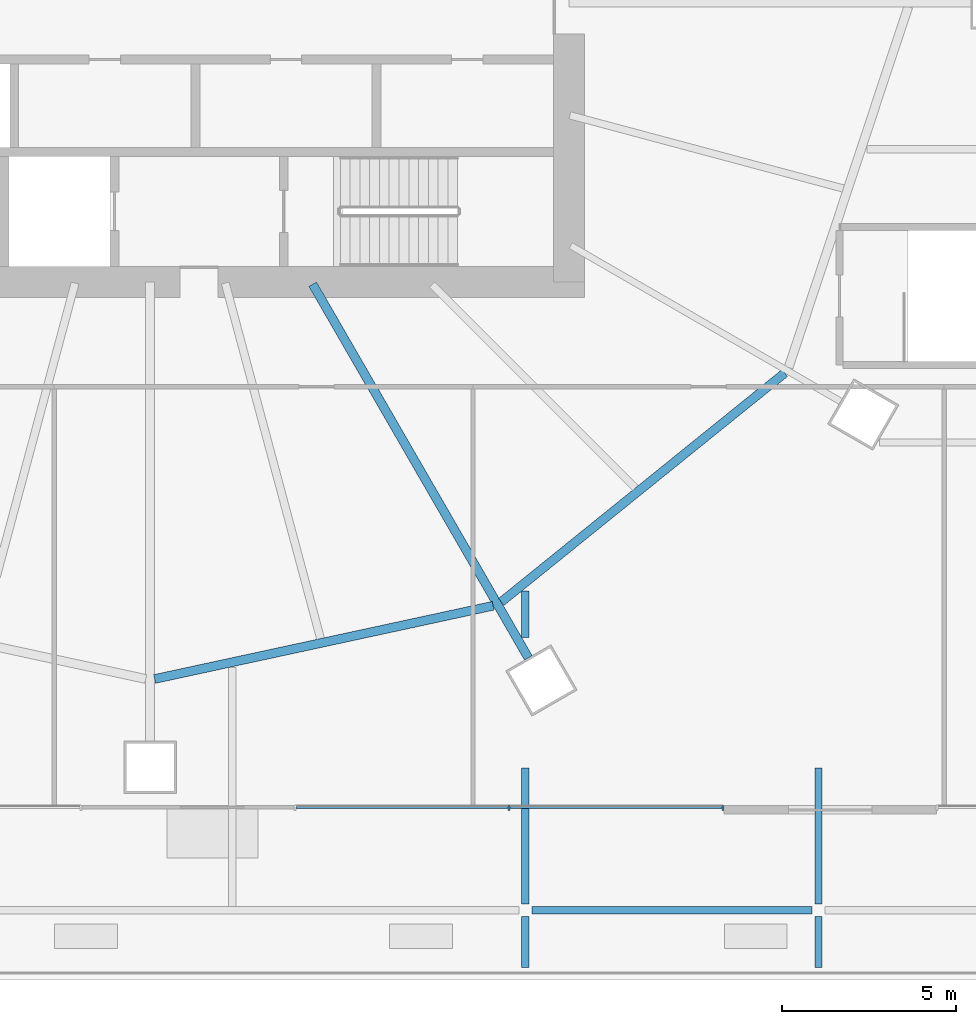
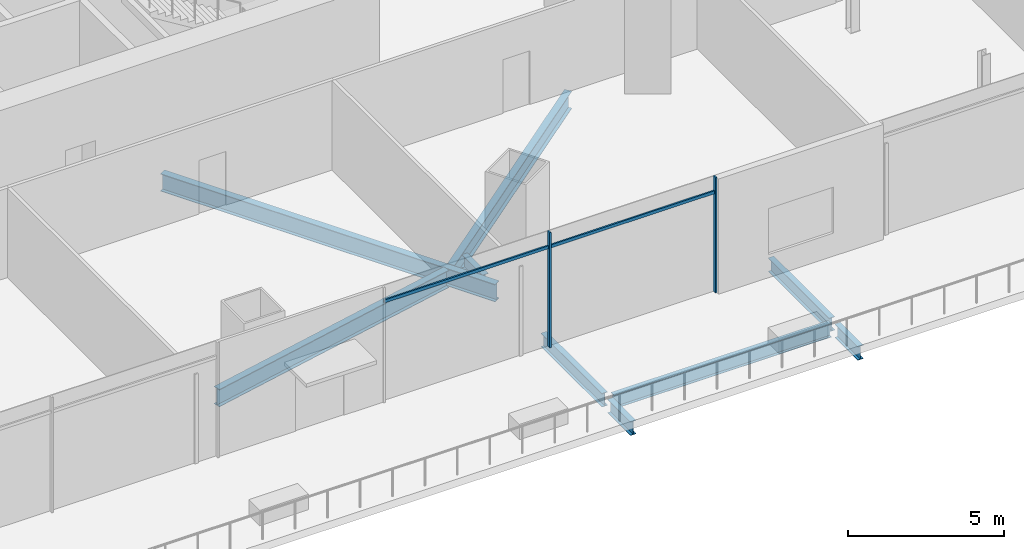
# One storey, part 12 of 49: 9 beams, 4 members, 1 element without a shape of its own.
"""IFC4 building model written with IfcOpenShell, lengths in metres."""

from ifc_helpers import new_model, si_unit, direction, frame, origin, origin_2d, place, context, subcontext, project, spatial, rectangle, i_section, extrude, material, material_profile, profile_set, type_object, element, aggregate, save


model = new_model("IFC4")

# Units and contexts
model_context = context("Model", 3, precision=1e-05, world=origin(), true_north=direction((0.0, 1.0)))
body_context = subcontext(model_context, "Body", "Model", "MODEL_VIEW")
ifc_project = project(units=[si_unit("LENGTHUNIT", "METRE"), si_unit("AREAUNIT", "SQUARE_METRE"), si_unit("VOLUMEUNIT", "CUBIC_METRE"), si_unit("PLANEANGLEUNIT", "RADIAN"), si_unit("MASSUNIT", "GRAM", prefix="KILO")], contexts=[model_context])

# Site, building, storey
site_placement = place(None, origin())
site = spatial("IfcSite", under=ifc_project, at=site_placement, CompositionType="ELEMENT")
building_placement = place(site_placement, origin())
building = spatial("IfcBuilding", under=site, at=building_placement, Name="Rimbun Link Towers", CompositionType="ELEMENT")
storey_placement = place(building_placement, frame((0.0, 0.0, 25.5)))
storey = spatial("IfcBuildingStorey", under=building, at=storey_placement, Name="L05", CompositionType="ELEMENT", Elevation=25.5)

# Curtain wall, members
ifc_material_1 = material(Name="Aluminium 6063-T6 and low-iron glass", Category="aluminium")
curtain_wall_type = type_object("IfcCurtainWallType", Name="CW3 podium shopfront", PredefinedType="NOTDEFINED", material=ifc_material_1)
curtain_wall_placement = place(storey_placement, origin())
curtain_wall = element("IfcCurtainWall", 1, at=curtain_wall_placement, inside=storey, type_object=curtain_wall_type, Name="CW3 L05 PD", PredefinedType="NOTDEFINED")
ifc_material_2 = material(Name="Aluminium 6063-T6", Category="aluminium")
ifc_material_profile_1 = material_profile(ifc_material_2, rectangle(XDim=0.14990234375, YDim=0.06005859375, at=origin_2d()), Name="MULLION 60X150")
ifc_profile_set_1 = profile_set([ifc_material_profile_1], Name="Aluminium 6063-T6")
member_type_1 = type_object("IfcMemberType", Name="CW3 mullion 60X150", PredefinedType="MULLION", material=ifc_profile_set_1)
member_1_placement = place(storey_placement, frame((-21.466552734375, -23.074951171875, 0.0), z_axis=(0.0, 0.0, 1.0), x_axis=(0.0, -1.0, 0.0)))
member_1 = element("IfcMember", 2, at=member_1_placement, type_object=member_type_1, Name="CW3 mullion", PredefinedType="MULLION", context=body_context, shape_type="SweptSolid", body=[
    extrude(rectangle(XDim=0.14990234375, YDim=0.06005859375, at=origin_2d()), origin(), (0.0, 0.0, 1.0), 4.5),
])
member_2_placement = place(storey_placement, frame((-15.333251953125, -23.074951171875, 0.0), z_axis=(0.0, 0.0, 1.0), x_axis=(0.0, -1.0, 0.0)))
member_2 = element("IfcMember", 3, at=member_2_placement, type_object=member_type_1, Name="CW3 mullion", PredefinedType="MULLION", context=body_context, shape_type="SweptSolid", body=[
    extrude(rectangle(XDim=0.14990234375, YDim=0.06005859375, at=origin_2d()), origin(), (0.0, 0.0, 1.0), 4.5),
])
ifc_material_3 = material(Name="Aluminium 6063-T6", Category="aluminium")
ifc_material_profile_2 = material_profile(ifc_material_3, rectangle(XDim=0.06005859375, YDim=0.1201171875, at=origin_2d()), Name="TRANSOM 60X120")
ifc_profile_set_2 = profile_set([ifc_material_profile_2], Name="Aluminium 6063-T6")
member_type_2 = type_object("IfcMemberType", Name="CW3 transom 60X120", PredefinedType="USERDEFINED", material=ifc_profile_set_2)
member_3_placement = place(storey_placement, frame((-21.49658203125, -23.053955078125, 3.89990234375), z_axis=(-1.0, 0.0, 0.0), x_axis=(0.0, -1.0, 0.0)))
member_3 = element("IfcMember", 4, at=member_3_placement, type_object=member_type_2, Name="CW3 transom", ObjectType="TRANSOM", PredefinedType="USERDEFINED", context=body_context, shape_type="SweptSolid", body=[
    extrude(rectangle(XDim=0.06005859375, YDim=0.1201171875, at=origin_2d()), origin(), (0.0, 0.0, 1.0), 6.073486328125),
])
member_4_placement = place(storey_placement, frame((-15.36328125, -23.053955078125, 3.89990234375), z_axis=(-1.0, 0.0, 0.0), x_axis=(0.0, -1.0, 0.0)))
member_4 = element("IfcMember", 5, at=member_4_placement, type_object=member_type_2, Name="CW3 transom", ObjectType="TRANSOM", PredefinedType="USERDEFINED", context=body_context, shape_type="SweptSolid", body=[
    extrude(rectangle(XDim=0.06005859375, YDim=0.1201171875, at=origin_2d()), origin(), (0.0, 0.0, 1.0), 6.073486328125),
])
aggregate(curtain_wall, [member_1, member_2, member_3, member_4])

# Beams
ifc_material_4 = material(Name="Steel S355J2", Category="steel")
ifc_material_profile_3 = material_profile(ifc_material_4, i_section(OverallWidth=0.209228515625, OverallDepth=0.533203125, WebThickness=0.010009765625, FlangeThickness=0.015625, at=origin_2d()), Name="UB 533x210x92")
ifc_profile_set_3 = profile_set([ifc_material_profile_3], Name="Steel S355J2")
beam_type_1 = type_object("IfcBeamType", Name="UB 533x210x92", PredefinedType="BEAM", material=ifc_profile_set_3)
beam_1_placement = place(storey_placement, frame((-20.814697265625, -26.0, -0.56640625), z_axis=(1.0, 0.0, 0.0), x_axis=(0.0, 1.0, 0.0)))
element("IfcBeam", 6, at=beam_1_placement, inside=storey, type_object=beam_type_1, Name="Grid beam L05 -26.0", PredefinedType="BEAM", context=body_context, shape_type="SweptSolid", body=[
    extrude(i_section(OverallWidth=0.209228515625, OverallDepth=0.533203125, WebThickness=0.010009765625, FlangeThickness=0.015625, at=origin_2d()), origin(), (0.0, 0.0, 1.0), 8.029296875),
])
beam_2_placement = place(storey_placement, frame((-21.0, -27.64892578125, -0.56640625), z_axis=(0.0, 1.0, 0.0), x_axis=(-1.0, 0.0, 0.0)))
element("IfcBeam", 7, at=beam_2_placement, inside=storey, type_object=beam_type_1, Name="Grid beam L05 -21.0", PredefinedType="BEAM", context=body_context, shape_type="SweptSolid", body=[
    extrude(i_section(OverallWidth=0.209228515625, OverallDepth=0.533203125, WebThickness=0.010009765625, FlangeThickness=0.015625, at=origin_2d()), origin(), (0.0, 0.0, 1.0), 1.468017578125),
])
beam_3_placement = place(storey_placement, frame((-21.0, -25.819091796875, -0.56640625), z_axis=(0.0, 1.0, 0.0), x_axis=(-1.0, 0.0, 0.0)))
element("IfcBeam", 8, at=beam_3_placement, inside=storey, type_object=beam_type_1, Name="Grid beam L05 -21.0", PredefinedType="BEAM", context=body_context, shape_type="SweptSolid", body=[
    extrude(i_section(OverallWidth=0.209228515625, OverallDepth=0.533203125, WebThickness=0.010009765625, FlangeThickness=0.015625, at=origin_2d()), origin(), (0.0, 0.0, 1.0), 3.900146484375),
])
beam_4_placement = place(storey_placement, frame((-21.0, -18.18115234375, -0.56640625), z_axis=(0.0, 1.0, 0.0), x_axis=(-1.0, 0.0, 0.0)))
element("IfcBeam", 9, at=beam_4_placement, inside=storey, type_object=beam_type_1, Name="Grid beam L05 -21.0", PredefinedType="BEAM", context=body_context, shape_type="SweptSolid", body=[
    extrude(i_section(OverallWidth=0.209228515625, OverallDepth=0.533203125, WebThickness=0.010009765625, FlangeThickness=0.015625, at=origin_2d()), origin(), (0.0, 0.0, 1.0), 1.3232421875),
])
beam_5_placement = place(storey_placement, frame((-12.60009765625, -27.64892578125, -0.56640625), z_axis=(0.0, 1.0, 0.0), x_axis=(-1.0, 0.0, 0.0)))
element("IfcBeam", 10, at=beam_5_placement, inside=storey, type_object=beam_type_1, Name="Grid beam L05 -12.6", PredefinedType="BEAM", context=body_context, shape_type="SweptSolid", body=[
    extrude(i_section(OverallWidth=0.209228515625, OverallDepth=0.533203125, WebThickness=0.010009765625, FlangeThickness=0.015625, at=origin_2d()), origin(), (0.0, 0.0, 1.0), 1.468017578125),
])
beam_6_placement = place(storey_placement, frame((-12.60009765625, -25.819091796875, -0.56640625), z_axis=(0.0, 1.0, 0.0), x_axis=(-1.0, 0.0, 0.0)))
element("IfcBeam", 11, at=beam_6_placement, inside=storey, type_object=beam_type_1, Name="Grid beam L05 -12.6", PredefinedType="BEAM", context=body_context, shape_type="SweptSolid", body=[
    extrude(i_section(OverallWidth=0.209228515625, OverallDepth=0.533203125, WebThickness=0.010009765625, FlangeThickness=0.015625, at=origin_2d()), origin(), (0.0, 0.0, 1.0), 3.900146484375),
])
ifc_material_5 = material(Name="Steel S355J2", Category="steel")
ifc_material_profile_4 = material_profile(ifc_material_5, i_section(OverallWidth=0.253662109375, OverallDepth=0.68359375, WebThickness=0.012451171875, FlangeThickness=0.01904296875, at=origin_2d()), Name="UB 686x254x140")
ifc_profile_set_4 = profile_set([ifc_material_profile_4], Name="Steel S355J2")
beam_type_2 = type_object("IfcBeamType", Name="UB 686x254x140", PredefinedType="BEAM", material=ifc_profile_set_4)
beam_7_placement = place(storey_placement, frame((-27.093994140625, -8.064208984375, -0.641845703125), z_axis=(0.499992594562, -0.866029679274, 0.0), x_axis=(0.866029679274, 0.499992594562, 0.0)))
element("IfcBeam", 12, at=beam_7_placement, inside=storey, type_object=beam_type_2, Name="Radial beam T1 L05 20", PredefinedType="BEAM", context=body_context, shape_type="SweptSolid", body=[
    extrude(i_section(OverallWidth=0.253662109375, OverallDepth=0.68359375, WebThickness=0.012451171875, FlangeThickness=0.01904296875, at=origin_2d()), origin(), (0.0, 0.0, 1.0), 12.360595703125),
])
beam_8_placement = place(storey_placement, frame((-31.622314453125, -19.375244140625, -0.641845703125), z_axis=(0.977390124833, 0.211443949734, 0.0), x_axis=(-0.211443949734, 0.977390124833, 0.0)))
element("IfcBeam", 13, at=beam_8_placement, inside=storey, type_object=beam_type_2, Name="Edge beam T1 L05 18-20", PredefinedType="BEAM", context=body_context, shape_type="SweptSolid", body=[
    extrude(i_section(OverallWidth=0.253662109375, OverallDepth=0.68359375, WebThickness=0.012451171875, FlangeThickness=0.01904296875, at=origin_2d()), origin(), (0.0, 0.0, 1.0), 9.924072265625),
])
beam_9_placement = place(storey_placement, frame((-21.69091796875, -17.167236328125, -0.641845703125), z_axis=(0.778006680284, 0.628256003102, 0.0), x_axis=(-0.628256003102, 0.778006680284, 0.0)))
element("IfcBeam", 14, at=beam_9_placement, inside=storey, type_object=beam_type_2, Name="Edge beam T1 L05 20-22", PredefinedType="BEAM", context=body_context, shape_type="SweptSolid", body=[
    extrude(i_section(OverallWidth=0.253662109375, OverallDepth=0.68359375, WebThickness=0.012451171875, FlangeThickness=0.01904296875, at=origin_2d()), origin(), (0.0, 0.0, 1.0), 10.4404296875),
])

save(model, "model.ifc")
